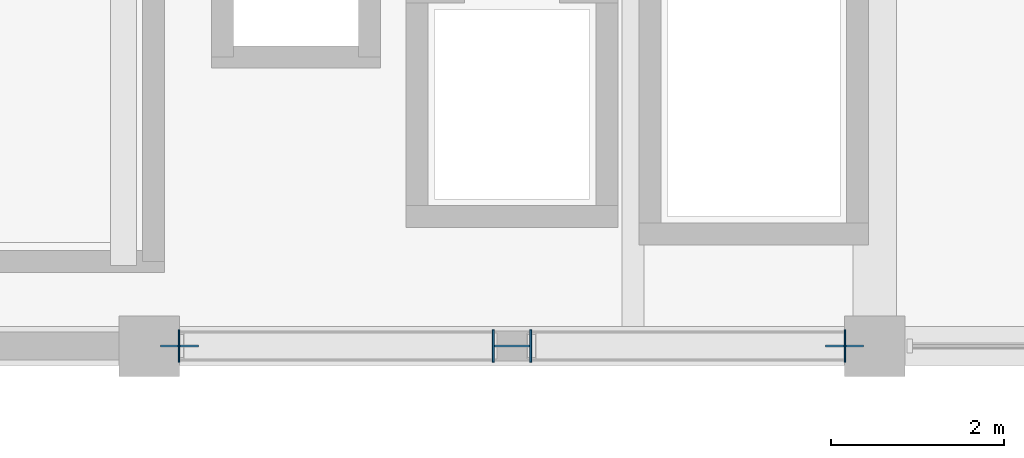
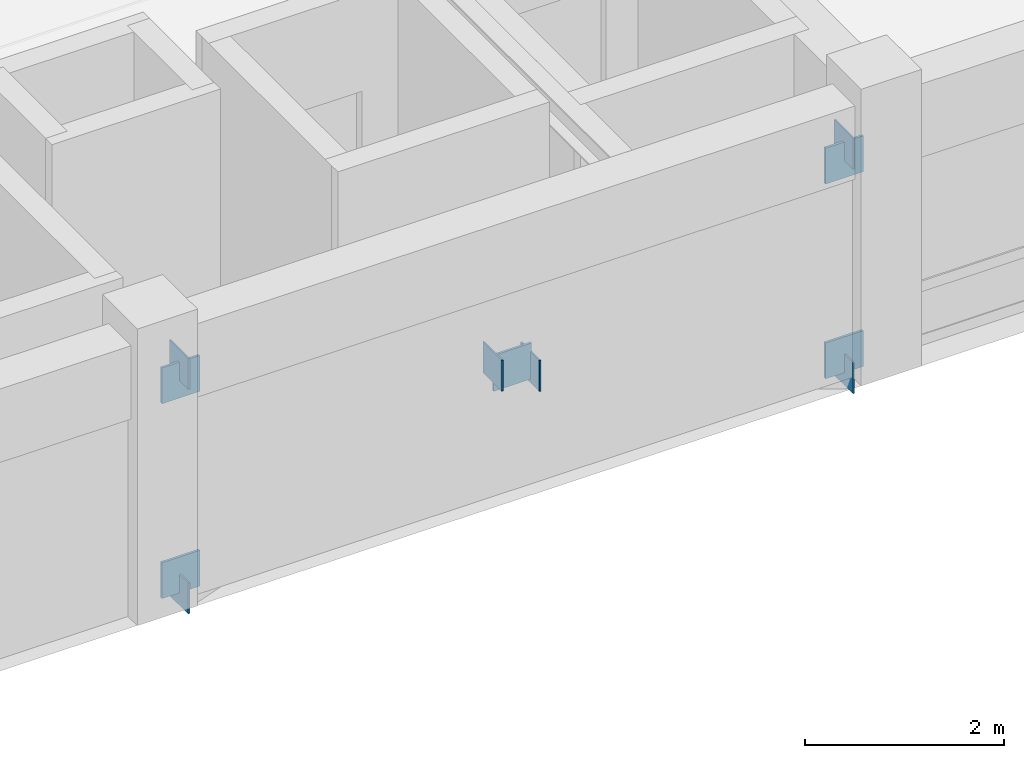
# One storey, part 63 of 118: 11 plates.
"""IFC4 building model written with IfcOpenShell, lengths in metres."""

from ifc_helpers import new_model, si_unit, direction, frame, origin, origin_2d, place, context, subcontext, project, spatial, rectangle, extrude, material, layer, layer_set, type_object, element, save


model = new_model("IFC4")

# Units and contexts
model_context = context("Model", 3, precision=1e-05, world=origin(), true_north=direction((0.0, 1.0)))
body_context = subcontext(model_context, "Body", "Model", "MODEL_VIEW")
ifc_project = project(units=[si_unit("LENGTHUNIT", "METRE"), si_unit("AREAUNIT", "SQUARE_METRE"), si_unit("VOLUMEUNIT", "CUBIC_METRE"), si_unit("PLANEANGLEUNIT", "RADIAN"), si_unit("MASSUNIT", "GRAM", prefix="KILO")], contexts=[model_context])

# Site, building, storey
site_placement = place(None, origin())
site = spatial("IfcSite", under=ifc_project, at=site_placement, CompositionType="ELEMENT")
building_placement = place(site_placement, origin())
building = spatial("IfcBuilding", under=site, at=building_placement, Name="Cumbredor Promenade Congress Hotel", CompositionType="ELEMENT")
storey_placement = place(building_placement, frame((0.0, 0.0, 3.919921875)))
storey = spatial("IfcBuildingStorey", under=building, at=storey_placement, Name="L01", CompositionType="ELEMENT", Elevation=3.919921875)

# Plates
ifc_material = material(Name="Steel ASTM A572 Grade 50", Category="steel")
ifc_layer_1 = layer(ifc_material, 0.02001953125, Name="Steel ASTM A572 Grade 50", Category="steel")
ifc_layer_set_1 = layer_set([ifc_layer_1], Name="Steel ASTM A572 Grade 50")
plate_type_1 = type_object("IfcPlateType", Name="Hollow Section End Cap Plate CP-04", PredefinedType="USERDEFINED", material=ifc_layer_set_1)
for number, where, z_axis, x_axis, name in (
    (1, (151.54248046875, 8.39990234375, -0.192626953125), (0.0, 0.0, 1.0), (1.0, 0.0, 0.0), "L01 X-Brace Continuous Diagonal 15A Start Cap Plate"),
    (2, (159.257568359375, 8.39990234375, 2.562744140625), (0.0, 0.0, 1.0), (1.0, 0.0, 0.0), "L01 X-Brace Continuous Diagonal 15A End Cap Plate"),
    (3, (159.257568359375, 8.39990234375, -0.192626953125), (0.0, 0.0, 1.0), (-1.0, 0.0, 0.0), "L01 X-Brace Lower Split Diagonal 15B1 Start Cap Plate"),
    (4, (155.618408203125, 8.39990234375, 1.107177734375), (0.0, 0.0, 1.0), (-1.0, 0.0, 0.0), "L01 X-Brace Lower Split Diagonal 15B1 End Cap Plate"),
    (5, (155.181640625, 8.39990234375, 1.26318359375), (0.0, 0.0, 1.0), (-1.0, 0.0, 0.0), "L01 X-Brace Upper Split Diagonal 15B2 Start Cap Plate"),
    (6, (151.54248046875, 8.39990234375, 2.562744140625), (0.0, 0.0, 1.0), (-1.0, 0.0, 0.0), "L01 X-Brace Upper Split Diagonal 15B2 End Cap Plate"),
):
    element("IfcPlate", number, at=place(storey_placement, frame(where, z_axis=z_axis, x_axis=x_axis)), inside=storey, type_object=plate_type_1, Name=name, ObjectType="CAP PLATE", PredefinedType="USERDEFINED", context=body_context, shape_type="SweptSolid", body=[
        extrude(rectangle(XDim=0.02001953125, YDim=0.3798828125, at=origin_2d()), origin(), (0.0, 0.0, 1.0), 0.3798828125),
    ])
ifc_layer_2 = layer(ifc_material, 0.028076171875, Name="Steel ASTM A572 Grade 50", Category="steel")
ifc_layer_set_2 = layer_set([ifc_layer_2], Name="Steel ASTM A572 Grade 50")
plate_type_2 = type_object("IfcPlateType", Name="Space Frame Node Assembly ND-03", PredefinedType="USERDEFINED", material=ifc_layer_set_2)
for number, where, z_axis, x_axis, name in (
    (7, (151.550048828125, 8.39990234375, -0.039794921875), (0.0, 0.0, 1.0), (1.0, 0.0, 0.0), "L01 Seismic Frame Gusset Plate 15-BL"),
    (8, (159.25, 8.39990234375, -0.039794921875), (0.0, 0.0, 1.0), (1.0, 0.0, 0.0), "L01 Seismic Frame Gusset Plate 15-BR"),
    (9, (151.550048828125, 8.39990234375, 2.35009765625), (0.0, 0.0, 1.0), (1.0, 0.0, 0.0), "L01 Seismic Frame Gusset Plate 15-TL"),
    (10, (159.25, 8.39990234375, 2.35009765625), (0.0, 0.0, 1.0), (1.0, 0.0, 0.0), "L01 Seismic Frame Gusset Plate 15-TR"),
    (11, (155.39990234375, 8.39990234375, 1.155029296875), (0.0, 0.0, 1.0), (1.0, 0.0, 0.0), "L01 X-Brace Central Crossing Gusset Plate 15"),
):
    element("IfcPlate", number, at=place(storey_placement, frame(where, z_axis=z_axis, x_axis=x_axis)), inside=storey, type_object=plate_type_2, Name=name, ObjectType="GUSSET PLATE", PredefinedType="USERDEFINED", context=body_context, shape_type="SweptSolid", body=[
        extrude(rectangle(XDim=0.43994140625, YDim=0.028076171875, at=origin_2d()), origin(), (0.0, 0.0, 1.0), 0.43994140625),
    ])

save(model, "model.ifc")
